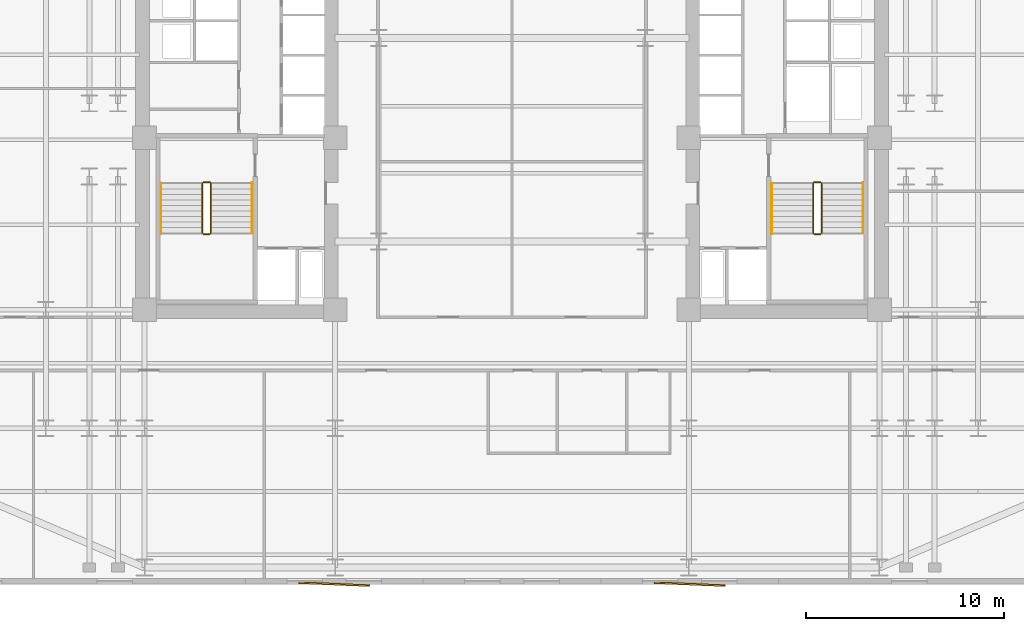
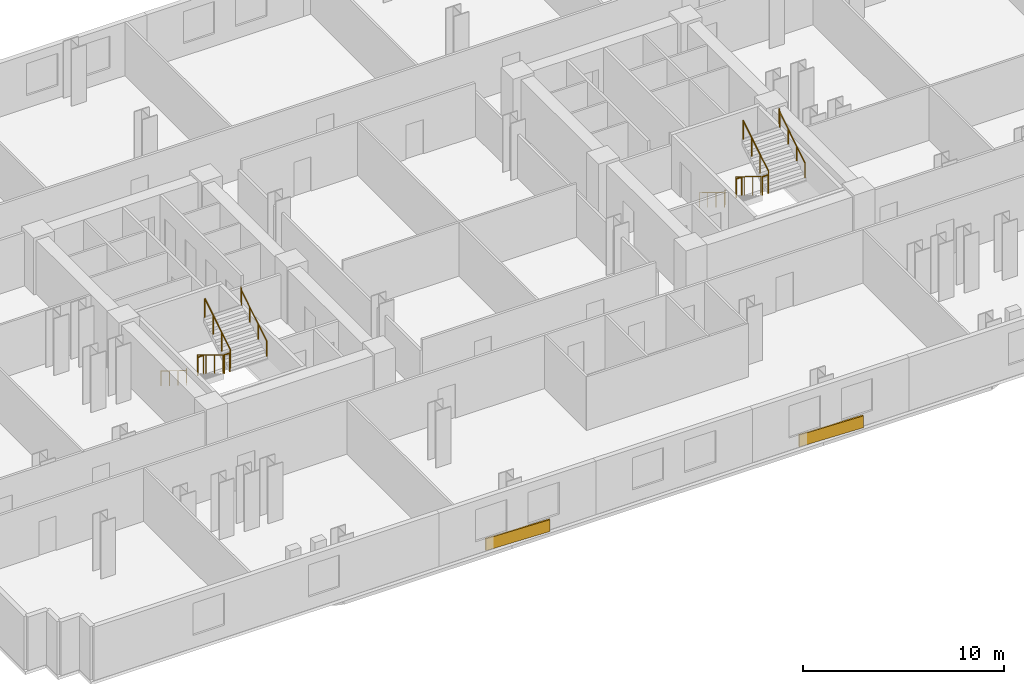
# One storey, part 9 of 10: 12 railings, 2 coverings.
"""IFC4 building model written with IfcOpenShell, lengths in metres."""

from ifc_helpers import new_model, si_unit, direction, frame, origin, origin_2d, place, context, subcontext, project, spatial, rectangle, circle, extrude, material, layer, layer_set, type_object, element, save


model = new_model("IFC4")

# Units and contexts
model_context = context("Model", 3, precision=1e-05, world=origin(), true_north=direction((0.0, 1.0)))
body_context = subcontext(model_context, "Body", "Model", "MODEL_VIEW")
ifc_project = project(units=[si_unit("LENGTHUNIT", "METRE"), si_unit("AREAUNIT", "SQUARE_METRE"), si_unit("VOLUMEUNIT", "CUBIC_METRE"), si_unit("PLANEANGLEUNIT", "RADIAN"), si_unit("MASSUNIT", "GRAM", prefix="KILO")], contexts=[model_context])

# Site, building, storey
site_placement = place(None, origin())
site = spatial("IfcSite", under=ifc_project, at=site_placement, CompositionType="ELEMENT")
building_placement = place(site_placement, origin())
building = spatial("IfcBuilding", under=site, at=building_placement, Name="Velakula Bourse", CompositionType="ELEMENT")
storey_placement = place(building_placement, frame((0.0, 0.0, 62.25)))
storey = spatial("IfcBuildingStorey", under=building, at=storey_placement, Name="L16", CompositionType="ELEMENT", Elevation=62.25)

# Coverings
ifc_material_1 = material(Name="Red kilned clay facing brick masonry", Category="masonry")
ifc_layer = layer(ifc_material_1, 0.090087890625, Name="Red kilned clay facing brick masonry", Category="masonry")
ifc_layer_set = layer_set([ifc_layer], Name="Red kilned clay facing brick masonry")
covering_type = type_object("IfcCoveringType", Name="COV-BRK-FOLD-90", PredefinedType="CLADDING", material=ifc_layer_set)
for number, where, z_axis, x_axis, name in (
    (1, (-9.0, -22.489990234375, 0.0), (0.0, 0.0, 1.0), (0.999158993058, -0.041003738744, 0.0), "L16 Folded Brick Facade Cladding Panel S-B2"),
    (2, (9.0, -22.489990234375, 0.0), (0.0, 0.0, 1.0), (0.999158993058, -0.041003738744, 0.0), "L16 Folded Brick Facade Cladding Panel S-B4"),
):
    element("IfcCovering", number, at=place(storey_placement, frame(where, z_axis=z_axis, x_axis=x_axis)), inside=storey, type_object=covering_type, Name=name, PredefinedType="CLADDING", context=body_context, shape_type="SweptSolid", body=[
        extrude(rectangle(XDim=3.60009765625, YDim=0.090087890625, at=origin_2d()), origin(), (0.0, 0.0, 1.0), 0.719970703125),
    ])

# Railings
ifc_material_2 = material(Name="Brushed grade 316 stainless steel", Category="steel")
railing_type_1 = type_object("IfcRailingType", Name="RLG-STAIR-GUARD-1150", PredefinedType="BALUSTRADE", material=ifc_material_2)
railing_1_placement = place(storey_placement, frame((-15.672119140625, -2.199951171875, 0.172607421875)))
element("IfcRailing", 3, at=railing_1_placement, inside=storey, type_object=railing_type_1, Name="L16 ST-W1 stair guard 1", PredefinedType="BALUSTRADE", context=body_context, shape_type="SweptSolid", body=[
    extrude(circle(Radius=0.02490234375, at=origin_2d()), frame((0.0, 0.0, 1.125), z_axis=(0.0, -0.851400495292, 0.524516154772), x_axis=(1.0, 0.0, 0.0)), (0.0, 0.0, 1.0), 2.9599609375),
    extrude(circle(Radius=0.02099609375, at=origin_2d()), origin(), (0.0, 0.0, 1.0), 1.099853515625),
    extrude(circle(Radius=0.02099609375, at=origin_2d()), frame((0.0, -0.840087890625, 0.517578125)), (0.0, 0.0, 1.0), 1.099853515625),
    extrude(circle(Radius=0.02099609375, at=origin_2d()), frame((0.0, -1.679931640625, 1.034912109375)), (0.0, 0.0, 1.0), 1.099853515625),
    extrude(circle(Radius=0.02099609375, at=origin_2d()), frame((0.0, -2.52001953125, 1.552490234375)), (0.0, 0.0, 1.0), 1.099853515625),
])
railing_2_placement = place(storey_placement, frame((-15.6220703125, -4.77001953125, 1.72509765625)))
element("IfcRailing", 4, at=railing_2_placement, inside=storey, type_object=railing_type_1, Name="L16 ST-W1 stair guard 2", PredefinedType="BALUSTRADE", context=body_context, shape_type="SweptSolid", body=[
    extrude(circle(Radius=0.02490234375, at=origin_2d()), frame((0.0, 0.0, 1.125), z_axis=(1.0, 0.0, 0.0), x_axis=(0.0, 1.0, 0.0)), (0.0, 0.0, 1.0), 0.323974609375),
    extrude(circle(Radius=0.02099609375, at=origin_2d()), origin(), (0.0, 0.0, 1.0), 1.099853515625),
    extrude(circle(Radius=0.02099609375, at=origin_2d()), frame((0.323974609375, 0.0, 0.0)), (0.0, 0.0, 1.0), 1.099853515625),
])
railing_3_placement = place(storey_placement, frame((-15.248046875, -4.719970703125, 1.8974609375)))
element("IfcRailing", 5, at=railing_3_placement, inside=storey, type_object=railing_type_1, Name="L16 ST-W1 stair guard 3", PredefinedType="BALUSTRADE", context=body_context, shape_type="SweptSolid", body=[
    extrude(circle(Radius=0.02490234375, at=origin_2d()), frame((0.0, 0.0, 1.125), z_axis=(0.0, 0.851400495292, 0.524516154772), x_axis=(-1.0, 0.0, 0.0)), (0.0, 0.0, 1.0), 2.9599609375),
    extrude(circle(Radius=0.02099609375, at=origin_2d()), origin(), (0.0, 0.0, 1.0), 1.099853515625),
    extrude(circle(Radius=0.02099609375, at=origin_2d()), frame((0.0, 0.840087890625, 0.517578125)), (0.0, 0.0, 1.0), 1.099853515625),
    extrude(circle(Radius=0.02099609375, at=origin_2d()), frame((0.0, 1.679931640625, 1.034912109375)), (0.0, 0.0, 1.0), 1.099853515625),
    extrude(circle(Radius=0.02099609375, at=origin_2d()), frame((0.0, 2.52001953125, 1.552490234375)), (0.0, 0.0, 1.0), 1.099853515625),
])
railing_4_placement = place(storey_placement, frame((-15.6220703125, -2.14990234375, 0.0)))
element("IfcRailing", 6, at=railing_4_placement, inside=storey, type_object=railing_type_1, Name="L16 ST-W1 stair guard 4", PredefinedType="BALUSTRADE", context=body_context, shape_type="SweptSolid", body=[
    extrude(circle(Radius=0.02490234375, at=origin_2d()), frame((0.0, 0.0, 1.125), z_axis=(1.0, 0.0, 0.0), x_axis=(0.0, 1.0, 0.0)), (0.0, 0.0, 1.0), 0.323974609375),
    extrude(circle(Radius=0.02099609375, at=origin_2d()), origin(), (0.0, 0.0, 1.0), 1.099853515625),
    extrude(circle(Radius=0.02099609375, at=origin_2d()), frame((0.323974609375, 0.0, 0.0)), (0.0, 0.0, 1.0), 1.099853515625),
])
railing_5_placement = place(storey_placement, frame((15.248046875, -2.199951171875, 0.172607421875)))
element("IfcRailing", 7, at=railing_5_placement, inside=storey, type_object=railing_type_1, Name="L16 ST-E1 stair guard 1", PredefinedType="BALUSTRADE", context=body_context, shape_type="SweptSolid", body=[
    extrude(circle(Radius=0.02490234375, at=origin_2d()), frame((0.0, 0.0, 1.125), z_axis=(0.0, -0.851400495292, 0.524516154772), x_axis=(1.0, 0.0, 0.0)), (0.0, 0.0, 1.0), 2.9599609375),
    extrude(circle(Radius=0.02099609375, at=origin_2d()), origin(), (0.0, 0.0, 1.0), 1.099853515625),
    extrude(circle(Radius=0.02099609375, at=origin_2d()), frame((0.0, -0.840087890625, 0.517578125)), (0.0, 0.0, 1.0), 1.099853515625),
    extrude(circle(Radius=0.02099609375, at=origin_2d()), frame((0.0, -1.679931640625, 1.034912109375)), (0.0, 0.0, 1.0), 1.099853515625),
    extrude(circle(Radius=0.02099609375, at=origin_2d()), frame((0.0, -2.52001953125, 1.552490234375)), (0.0, 0.0, 1.0), 1.099853515625),
])
railing_6_placement = place(storey_placement, frame((15.298095703125, -4.77001953125, 1.72509765625)))
element("IfcRailing", 8, at=railing_6_placement, inside=storey, type_object=railing_type_1, Name="L16 ST-E1 stair guard 2", PredefinedType="BALUSTRADE", context=body_context, shape_type="SweptSolid", body=[
    extrude(circle(Radius=0.02490234375, at=origin_2d()), frame((0.0, 0.0, 1.125), z_axis=(1.0, 0.0, 0.0), x_axis=(0.0, 1.0, 0.0)), (0.0, 0.0, 1.0), 0.323974609375),
    extrude(circle(Radius=0.02099609375, at=origin_2d()), origin(), (0.0, 0.0, 1.0), 1.099853515625),
    extrude(circle(Radius=0.02099609375, at=origin_2d()), frame((0.323974609375, 0.0, 0.0)), (0.0, 0.0, 1.0), 1.099853515625),
])
railing_7_placement = place(storey_placement, frame((15.672119140625, -4.719970703125, 1.8974609375)))
element("IfcRailing", 9, at=railing_7_placement, inside=storey, type_object=railing_type_1, Name="L16 ST-E1 stair guard 3", PredefinedType="BALUSTRADE", context=body_context, shape_type="SweptSolid", body=[
    extrude(circle(Radius=0.02490234375, at=origin_2d()), frame((0.0, 0.0, 1.125), z_axis=(0.0, 0.851400495292, 0.524516154772), x_axis=(-1.0, 0.0, 0.0)), (0.0, 0.0, 1.0), 2.9599609375),
    extrude(circle(Radius=0.02099609375, at=origin_2d()), origin(), (0.0, 0.0, 1.0), 1.099853515625),
    extrude(circle(Radius=0.02099609375, at=origin_2d()), frame((0.0, 0.840087890625, 0.517578125)), (0.0, 0.0, 1.0), 1.099853515625),
    extrude(circle(Radius=0.02099609375, at=origin_2d()), frame((0.0, 1.679931640625, 1.034912109375)), (0.0, 0.0, 1.0), 1.099853515625),
    extrude(circle(Radius=0.02099609375, at=origin_2d()), frame((0.0, 2.52001953125, 1.552490234375)), (0.0, 0.0, 1.0), 1.099853515625),
])
railing_8_placement = place(storey_placement, frame((15.298095703125, -2.14990234375, 0.0)))
element("IfcRailing", 10, at=railing_8_placement, inside=storey, type_object=railing_type_1, Name="L16 ST-E1 stair guard 4", PredefinedType="BALUSTRADE", context=body_context, shape_type="SweptSolid", body=[
    extrude(circle(Radius=0.02490234375, at=origin_2d()), frame((0.0, 0.0, 1.125), z_axis=(1.0, 0.0, 0.0), x_axis=(0.0, 1.0, 0.0)), (0.0, 0.0, 1.0), 0.323974609375),
    extrude(circle(Radius=0.02099609375, at=origin_2d()), origin(), (0.0, 0.0, 1.0), 1.099853515625),
    extrude(circle(Radius=0.02099609375, at=origin_2d()), frame((0.323974609375, 0.0, 0.0)), (0.0, 0.0, 1.0), 1.099853515625),
])
railing_type_2 = type_object("IfcRailingType", Name="RLG-STAIR-HAND-920", PredefinedType="HANDRAIL", material=ifc_material_2)
railing_9_placement = place(storey_placement, frame((-17.77001953125, -2.199951171875, 0.172607421875)))
element("IfcRailing", 11, at=railing_9_placement, inside=storey, type_object=railing_type_2, Name="L16 ST-W1 stair handrail 1", PredefinedType="HANDRAIL", context=body_context, shape_type="SweptSolid", body=[
    extrude(circle(Radius=0.02099609375, at=origin_2d()), frame((0.0, 0.0, 0.89892578125), z_axis=(0.0, -0.851400495292, 0.524516154772), x_axis=(1.0, 0.0, 0.0)), (0.0, 0.0, 1.0), 2.9599609375),
    extrude(circle(Radius=0.02099609375, at=origin_2d()), frame((0.0, -2.52001953125, 2.451416015625), z_axis=(0.0, -0.226269970362, 0.974064628509), x_axis=(1.0, 0.0, 0.0)), (0.0, 0.0, 1.0), 0.177001953125),
    extrude(circle(Radius=0.02099609375, at=origin_2d()), frame((0.0, -2.56005859375, 2.623779296875), z_axis=(0.0, -1.0, 0.0), x_axis=(1.0, 0.0, 0.0)), (0.0, 0.0, 1.0), 0.0048828125),
    extrude(circle(Radius=0.02099609375, at=origin_2d()), origin(), (0.0, 0.0, 1.0), 0.8779296875),
    extrude(circle(Radius=0.02099609375, at=origin_2d()), frame((0.0, -0.840087890625, 0.517578125)), (0.0, 0.0, 1.0), 0.8779296875),
    extrude(circle(Radius=0.02099609375, at=origin_2d()), frame((0.0, -1.679931640625, 1.034912109375)), (0.0, 0.0, 1.0), 0.8779296875),
    extrude(circle(Radius=0.02099609375, at=origin_2d()), frame((0.0, -2.52001953125, 1.552490234375)), (0.0, 0.0, 1.0), 0.8779296875),
    extrude(circle(Radius=0.02099609375, at=origin_2d()), frame((0.0, -2.56005859375, 1.724853515625)), (0.0, 0.0, 1.0), 0.8779296875),
    extrude(circle(Radius=0.02099609375, at=origin_2d()), frame((0.0, -2.56494140625, 1.724853515625)), (0.0, 0.0, 1.0), 0.8779296875),
])
railing_10_placement = place(storey_placement, frame((-13.14990234375, -4.719970703125, 1.8974609375)))
element("IfcRailing", 12, at=railing_10_placement, inside=storey, type_object=railing_type_2, Name="L16 ST-W1 stair handrail 2", PredefinedType="HANDRAIL", context=body_context, shape_type="SweptSolid", body=[
    extrude(circle(Radius=0.02099609375, at=origin_2d()), frame((0.0, 0.0, 0.89892578125), z_axis=(0.0, 0.851400495292, 0.524516154772), x_axis=(-1.0, 0.0, 0.0)), (0.0, 0.0, 1.0), 2.9599609375),
    extrude(circle(Radius=0.02099609375, at=origin_2d()), frame((0.0, 2.52001953125, 2.451416015625), z_axis=(0.0, 0.22596628056, 0.974135124123), x_axis=(-1.0, 0.0, 0.0)), (0.0, 0.0, 1.0), 0.17724609375),
    extrude(circle(Radius=0.02099609375, at=origin_2d()), frame((0.0, 2.56005859375, 2.6240234375), z_axis=(0.0, 1.0, 0.0), x_axis=(-1.0, 0.0, 0.0)), (0.0, 0.0, 1.0), 0.0048828125),
    extrude(circle(Radius=0.02099609375, at=origin_2d()), origin(), (0.0, 0.0, 1.0), 0.8779296875),
    extrude(circle(Radius=0.02099609375, at=origin_2d()), frame((0.0, 0.840087890625, 0.517578125)), (0.0, 0.0, 1.0), 0.8779296875),
    extrude(circle(Radius=0.02099609375, at=origin_2d()), frame((0.0, 1.679931640625, 1.034912109375)), (0.0, 0.0, 1.0), 0.8779296875),
    extrude(circle(Radius=0.02099609375, at=origin_2d()), frame((0.0, 2.52001953125, 1.552490234375)), (0.0, 0.0, 1.0), 0.8779296875),
    extrude(circle(Radius=0.02099609375, at=origin_2d()), frame((0.0, 2.56005859375, 1.72509765625)), (0.0, 0.0, 1.0), 0.8779296875),
    extrude(circle(Radius=0.02099609375, at=origin_2d()), frame((0.0, 2.56494140625, 1.72509765625)), (0.0, 0.0, 1.0), 0.8779296875),
])
railing_11_placement = place(storey_placement, frame((13.14990234375, -2.199951171875, 0.172607421875)))
element("IfcRailing", 13, at=railing_11_placement, inside=storey, type_object=railing_type_2, Name="L16 ST-E1 stair handrail 1", PredefinedType="HANDRAIL", context=body_context, shape_type="SweptSolid", body=[
    extrude(circle(Radius=0.02099609375, at=origin_2d()), frame((0.0, 0.0, 0.89892578125), z_axis=(0.0, -0.851400495292, 0.524516154772), x_axis=(1.0, 0.0, 0.0)), (0.0, 0.0, 1.0), 2.9599609375),
    extrude(circle(Radius=0.02099609375, at=origin_2d()), frame((0.0, -2.52001953125, 2.451416015625), z_axis=(0.0, -0.226269970362, 0.974064628509), x_axis=(1.0, 0.0, 0.0)), (0.0, 0.0, 1.0), 0.177001953125),
    extrude(circle(Radius=0.02099609375, at=origin_2d()), frame((0.0, -2.56005859375, 2.623779296875), z_axis=(0.0, -1.0, 0.0), x_axis=(1.0, 0.0, 0.0)), (0.0, 0.0, 1.0), 0.0048828125),
    extrude(circle(Radius=0.02099609375, at=origin_2d()), origin(), (0.0, 0.0, 1.0), 0.8779296875),
    extrude(circle(Radius=0.02099609375, at=origin_2d()), frame((0.0, -0.840087890625, 0.517578125)), (0.0, 0.0, 1.0), 0.8779296875),
    extrude(circle(Radius=0.02099609375, at=origin_2d()), frame((0.0, -1.679931640625, 1.034912109375)), (0.0, 0.0, 1.0), 0.8779296875),
    extrude(circle(Radius=0.02099609375, at=origin_2d()), frame((0.0, -2.52001953125, 1.552490234375)), (0.0, 0.0, 1.0), 0.8779296875),
    extrude(circle(Radius=0.02099609375, at=origin_2d()), frame((0.0, -2.56005859375, 1.724853515625)), (0.0, 0.0, 1.0), 0.8779296875),
    extrude(circle(Radius=0.02099609375, at=origin_2d()), frame((0.0, -2.56494140625, 1.724853515625)), (0.0, 0.0, 1.0), 0.8779296875),
])
railing_12_placement = place(storey_placement, frame((17.77001953125, -4.719970703125, 1.8974609375)))
element("IfcRailing", 14, at=railing_12_placement, inside=storey, type_object=railing_type_2, Name="L16 ST-E1 stair handrail 2", PredefinedType="HANDRAIL", context=body_context, shape_type="SweptSolid", body=[
    extrude(circle(Radius=0.02099609375, at=origin_2d()), frame((0.0, 0.0, 0.89892578125), z_axis=(0.0, 0.851400495292, 0.524516154772), x_axis=(-1.0, 0.0, 0.0)), (0.0, 0.0, 1.0), 2.9599609375),
    extrude(circle(Radius=0.02099609375, at=origin_2d()), frame((0.0, 2.52001953125, 2.451416015625), z_axis=(0.0, 0.22596628056, 0.974135124123), x_axis=(-1.0, 0.0, 0.0)), (0.0, 0.0, 1.0), 0.17724609375),
    extrude(circle(Radius=0.02099609375, at=origin_2d()), frame((0.0, 2.56005859375, 2.6240234375), z_axis=(0.0, 1.0, 0.0), x_axis=(-1.0, 0.0, 0.0)), (0.0, 0.0, 1.0), 0.0048828125),
    extrude(circle(Radius=0.02099609375, at=origin_2d()), origin(), (0.0, 0.0, 1.0), 0.8779296875),
    extrude(circle(Radius=0.02099609375, at=origin_2d()), frame((0.0, 0.840087890625, 0.517578125)), (0.0, 0.0, 1.0), 0.8779296875),
    extrude(circle(Radius=0.02099609375, at=origin_2d()), frame((0.0, 1.679931640625, 1.034912109375)), (0.0, 0.0, 1.0), 0.8779296875),
    extrude(circle(Radius=0.02099609375, at=origin_2d()), frame((0.0, 2.52001953125, 1.552490234375)), (0.0, 0.0, 1.0), 0.8779296875),
    extrude(circle(Radius=0.02099609375, at=origin_2d()), frame((0.0, 2.56005859375, 1.72509765625)), (0.0, 0.0, 1.0), 0.8779296875),
    extrude(circle(Radius=0.02099609375, at=origin_2d()), frame((0.0, 2.56494140625, 1.72509765625)), (0.0, 0.0, 1.0), 0.8779296875),
])

save(model, "model.ifc")
